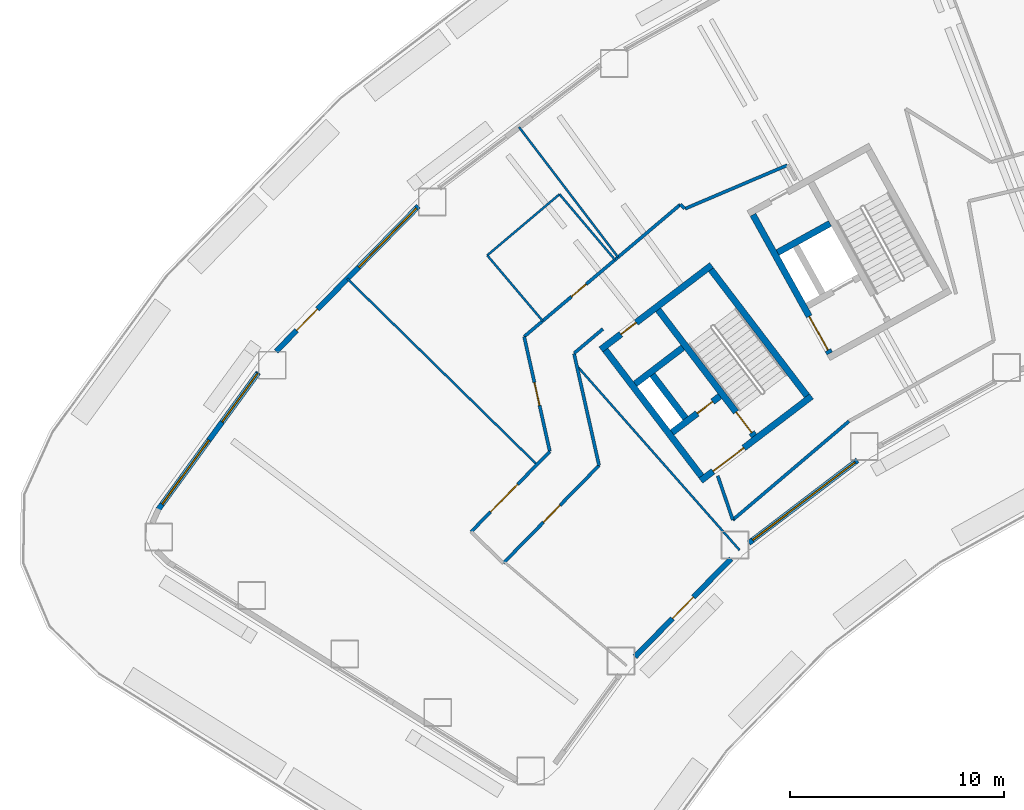
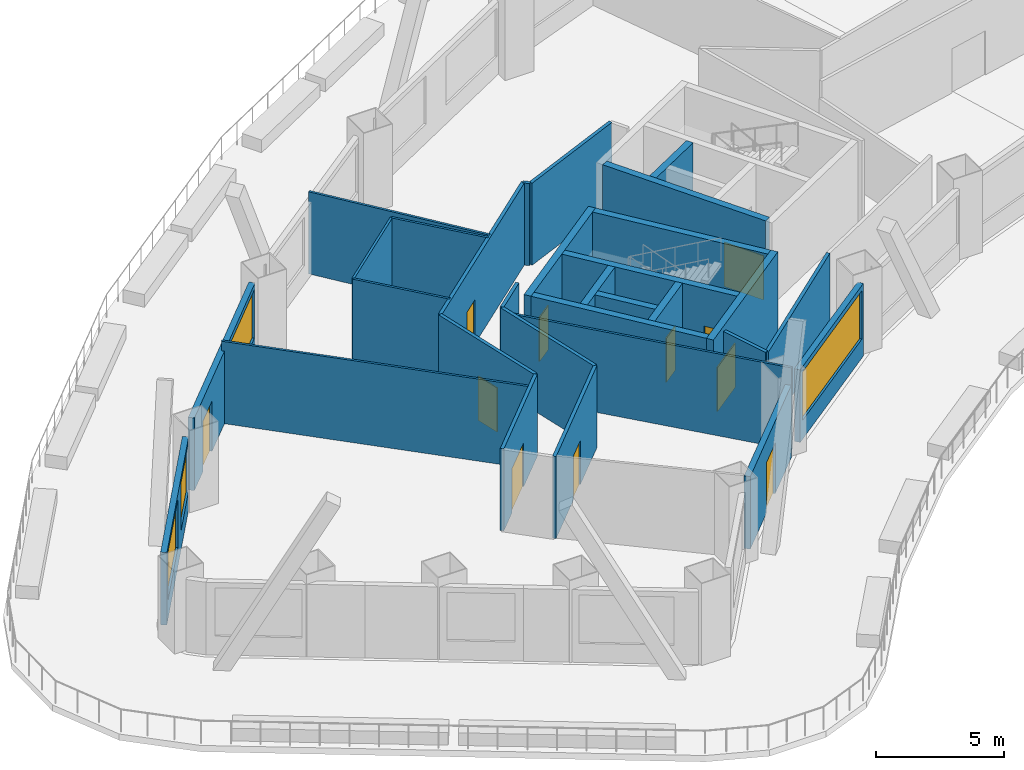
# One storey, part 3 of 12: 30 walls, 11 doors, 4 windows, 15 openings.
"""IFC4 building model written with IfcOpenShell, lengths in metres."""

from ifc_helpers import new_model, si_unit, direction, frame, frame_2d, origin, place, context, subcontext, project, spatial, rectangle, extrude, material, layer, layer_set, type_object, element, fill, save


model = new_model("IFC4")

# Units and contexts
model_context = context("Model", 3, precision=1e-05, world=origin(), true_north=direction((0.0, 1.0)))
body_context = subcontext(model_context, "Body", "Model", "MODEL_VIEW")
ifc_project = project(units=[si_unit("LENGTHUNIT", "METRE"), si_unit("AREAUNIT", "SQUARE_METRE"), si_unit("VOLUMEUNIT", "CUBIC_METRE"), si_unit("PLANEANGLEUNIT", "RADIAN"), si_unit("MASSUNIT", "GRAM", prefix="KILO")], contexts=[model_context])

# Site, building, storey
site_placement = place(None, origin())
site = spatial("IfcSite", under=ifc_project, at=site_placement, CompositionType="ELEMENT")
building_placement = place(site_placement, origin())
building = spatial("IfcBuilding", under=site, at=building_placement, Name="Tuul Gate Civic Tower", CompositionType="ELEMENT")
storey_placement = place(building_placement, frame((0.0, 0.0, 31.5)))
storey = spatial("IfcBuildingStorey", under=building, at=storey_placement, Name="Level 06", CompositionType="ELEMENT", Elevation=31.5)

# Wall, opening, door
ifc_material_1 = material(Name="Concrete C50/60", Category="concrete")
ifc_layer_1 = layer(ifc_material_1, 0.300048828125)
ifc_layer_set_1 = layer_set([ifc_layer_1], Name="Concrete C50/60")
wall_type_1 = type_object("IfcWallType", Name="Core wall C50/60", PredefinedType="SHEAR", material=ifc_layer_set_1)
wall_1_placement = place(storey_placement, frame((-31.19091796875, -13.669677734375, 0.0), z_axis=(0.0, 0.0, 1.0), x_axis=(-0.795606717756, -0.605813461934, 0.0)))
wall_1 = element("IfcWall", 1, at=wall_1_placement, inside=storey, type_object=wall_type_1, Name="Core wall", PredefinedType="SHEAR", context=body_context, shape_type="SweptSolid", body=[
    extrude(rectangle(XDim=6.5, YDim=0.300048828125, at=frame_2d((3.25, 0.0))), origin(), (0.0, 0.0, 1.0), 3.89990234375),
])
opening_1_placement = place(wall_1_placement, frame((3.97509765625, 0.0, 0.0)))
opening_1 = element("IfcOpeningElement", 2, at=opening_1_placement, cuts=wall_1, Name="Opening LB-W1-LOBBY-1", PredefinedType="OPENING", context=body_context, shape_type="SweptSolid", body=[
    extrude(rectangle(XDim=1.800048828125, YDim=2.10009765625, at=frame_2d((0.89990234375, 1.050048828125))), frame((0.0, 0.16015625, 0.0), z_axis=(0.0, -1.0, 0.0), x_axis=(1.0, 0.0, 0.0)), (0.0, 0.0, 1.0), 0.320068359375),
])
ifc_material_2 = material(Name="Steel", Category="steel")
door_type_1 = type_object("IfcDoorType", Name="Lobby door", OperationType="DOUBLE_DOOR_SINGLE_SWING", PredefinedType="DOOR", material=ifc_material_2)
door_1_placement = place(opening_1_placement, origin())
door_1 = element("IfcDoor", 3, at=door_1_placement, inside=storey, type_object=door_type_1, Name="Lobby door W1-LOBBY", OperationType="DOUBLE_DOOR_SINGLE_SWING", OverallHeight=2.10009765625, OverallWidth=1.800048828125, PredefinedType="DOOR", context=body_context, shape_type="SweptSolid", body=[
    extrude(rectangle(XDim=1.800048828125, YDim=2.10009765625, at=frame_2d((0.89990234375, 1.050048828125))), frame((0.0, 0.02490234375, 0.0), z_axis=(0.0, -1.0, 0.0), x_axis=(1.0, 0.0, 0.0)), (0.0, 0.0, 1.0), 0.050048828125),
])
fill(opening_1, door_1)

wall_2_placement = place(storey_placement, frame((-35.470947265625, -13.66064453125, 0.0), z_axis=(0.0, 0.0, 1.0), x_axis=(-0.795615822227, -0.605801504968, 0.0)))
wall_2 = element("IfcWall", 4, at=wall_2_placement, inside=storey, type_object=wall_type_1, Name="Core wall", PredefinedType="SHEAR", context=body_context, shape_type="SweptSolid", body=[
    extrude(rectangle(XDim=2.800048828125, YDim=0.300048828125, at=frame_2d((1.39990234375, 0.0))), origin(), (0.0, 0.0, 1.0), 3.89990234375),
])
opening_2_placement = place(wall_2_placement, frame((0.425048828125, 0.0, 0.0)))
opening_2 = element("IfcOpeningElement", 5, at=opening_2_placement, cuts=wall_2, Name="Opening FB-W1A1", PredefinedType="OPENING", context=body_context, shape_type="SweptSolid", body=[
    extrude(rectangle(XDim=0.89990234375, YDim=2.10009765625, at=frame_2d((0.449951171875, 1.050048828125))), frame((0.0, 0.16015625, 0.0), z_axis=(0.0, -1.0, 0.0), x_axis=(1.0, 0.0, 0.0)), (0.0, 0.0, 1.0), 0.320068359375),
])
ifc_material_3 = material(Name="Steel", Category="steel")
door_type_2 = type_object("IfcDoorType", Name="Store door", OperationType="NOTDEFINED", PredefinedType="DOOR", material=ifc_material_3)
door_2_placement = place(opening_2_placement, frame((0.89990234375, 0.0, 0.0), z_axis=(0.0, 0.0, 1.0), x_axis=(-1.0, 0.0, 0.0)))
door_2 = element("IfcDoor", 6, at=door_2_placement, inside=storey, type_object=door_type_2, Name="Store door W1A1", OperationType="SINGLE_SWING_RIGHT", OverallHeight=2.10009765625, OverallWidth=0.89990234375, PredefinedType="DOOR", context=body_context, shape_type="SweptSolid", body=[
    extrude(rectangle(XDim=0.89990234375, YDim=2.10009765625, at=frame_2d((0.449951171875, 1.050048828125))), frame((0.0, 0.02490234375, 0.0), z_axis=(0.0, -1.0, 0.0), x_axis=(1.0, 0.0, 0.0)), (0.0, 0.0, 1.0), 0.050048828125),
])
fill(opening_2, door_2)

# Wall
wall_3_placement = place(storey_placement, frame((-37.197509765625, -11.39306640625, 0.0), z_axis=(0.0, 0.0, 1.0), x_axis=(-0.795583820278, -0.605843531707, 0.0)))
element("IfcWall", 7, at=wall_3_placement, inside=storey, type_object=wall_type_1, Name="Core wall", PredefinedType="SHEAR", context=body_context, shape_type="SweptSolid", body=[
    extrude(rectangle(XDim=2.7998046875, YDim=0.300048828125, at=frame_2d((1.39990234375, 0.0))), origin(), (0.0, 0.0, 1.0), 3.89990234375),
])

# Wall, opening, door
wall_4_placement = place(storey_placement, frame((-35.855224609375, -7.543212890625, 0.0), z_axis=(0.0, 0.0, 1.0), x_axis=(-0.79563860527, -0.605771582202, 0.0)))
wall_4 = element("IfcWall", 8, at=wall_4_placement, inside=storey, type_object=wall_type_1, Name="Core wall", PredefinedType="SHEAR", context=body_context, shape_type="SweptSolid", body=[
    extrude(rectangle(XDim=6.5, YDim=0.300048828125, at=frame_2d((3.25, 0.0))), origin(), (0.0, 0.0, 1.0), 3.89990234375),
])
opening_3_placement = place(wall_4_placement, frame((4.425048828125, 0.0, 0.0)))
opening_3 = element("IfcOpeningElement", 9, at=opening_3_placement, cuts=wall_4, Name="Opening A-D19", PredefinedType="OPENING", context=body_context, shape_type="SweptSolid", body=[
    extrude(rectangle(XDim=0.89990234375, YDim=2.10009765625, at=frame_2d((0.449951171875, 1.050048828125))), frame((0.0, 0.16015625, 0.0), z_axis=(0.0, -1.0, 0.0), x_axis=(1.0, 0.0, 0.0)), (0.0, 0.0, 1.0), 0.320068359375),
])
ifc_material_4 = material(Name="Timber door leaf", Category="wood")
door_type_3 = type_object("IfcDoorType", Name="Door D09", OperationType="NOTDEFINED", PredefinedType="DOOR", material=ifc_material_4)
door_3_placement = place(opening_3_placement, origin())
door_3 = element("IfcDoor", 10, at=door_3_placement, inside=storey, type_object=door_type_3, Name="Door A-D19", OperationType="SINGLE_SWING_LEFT", OverallHeight=2.10009765625, OverallWidth=0.89990234375, PredefinedType="DOOR", context=body_context, shape_type="SweptSolid", body=[
    extrude(rectangle(XDim=0.89990234375, YDim=2.10009765625, at=frame_2d((0.449951171875, 1.050048828125))), frame((0.0, 0.02490234375, 0.0), z_axis=(0.0, -1.0, 0.0), x_axis=(1.0, 0.0, 0.0)), (0.0, 0.0, 1.0), 0.050048828125),
])
fill(opening_3, door_3)

# Wall
wall_5_placement = place(storey_placement, frame((-31.401123046875, -13.64111328125, 0.0), z_axis=(0.0, 0.0, 1.0), x_axis=(-0.605769822278, 0.795639945213, 0.0)))
element("IfcWall", 11, at=wall_5_placement, inside=storey, type_object=wall_type_1, Name="Core wall", PredefinedType="SHEAR", context=body_context, shape_type="SweptSolid", body=[
    extrude(rectangle(XDim=7.39990234375, YDim=0.300048828125, at=frame_2d((3.699951171875, 0.0))), origin(), (0.0, 0.0, 1.0), 3.89990234375),
])

# Wall, opening, door
wall_6_placement = place(storey_placement, frame((-33.867431640625, -15.51904296875, 0.0), z_axis=(0.0, 0.0, 1.0), x_axis=(-0.605769822278, 0.795639945213, 0.0)))
wall_6 = element("IfcWall", 12, at=wall_6_placement, inside=storey, type_object=wall_type_1, Name="Core wall", PredefinedType="SHEAR", context=body_context, shape_type="SweptSolid", body=[
    extrude(rectangle(XDim=7.39990234375, YDim=0.300048828125, at=frame_2d((3.699951171875, 0.0))), origin(), (0.0, 0.0, 1.0), 3.89990234375),
])
opening_4_placement = place(wall_6_placement, frame((0.199951171875, 0.0, 0.0)))
opening_4 = element("IfcOpeningElement", 13, at=opening_4_placement, cuts=wall_6, Name="Opening SD-ST-1", PredefinedType="OPENING", context=body_context, shape_type="SweptSolid", body=[
    extrude(rectangle(XDim=1.199951171875, YDim=2.10009765625, at=frame_2d((0.60009765625, 1.050048828125))), frame((0.0, 0.16015625, 0.0), z_axis=(0.0, -1.0, 0.0), x_axis=(1.0, 0.0, 0.0)), (0.0, 0.0, 1.0), 0.320068359375),
])
ifc_material_5 = material(Name="Steel", Category="steel")
door_type_4 = type_object("IfcDoorType", Name="Stair door", OperationType="NOTDEFINED", PredefinedType="DOOR", material=ifc_material_5)
door_4_placement = place(opening_4_placement, origin())
door_4 = element("IfcDoor", 14, at=door_4_placement, inside=storey, type_object=door_type_4, Name="Stair door ST-1", OperationType="SINGLE_SWING_LEFT", OverallHeight=2.10009765625, OverallWidth=1.199951171875, PredefinedType="DOOR", context=body_context, shape_type="SweptSolid", body=[
    extrude(rectangle(XDim=1.199951171875, YDim=2.10009765625, at=frame_2d((0.60009765625, 1.050048828125))), frame((0.0, 0.02490234375, 0.0), z_axis=(0.0, -1.0, 0.0), x_axis=(1.0, 0.0, 0.0)), (0.0, 0.0, 1.0), 0.050048828125),
])
fill(opening_4, door_4)

# Walls
wall_7_placement = place(storey_placement, frame((-37.073486328125, -14.6923828125, 0.0), z_axis=(0.0, 0.0, 1.0), x_axis=(-0.605728760074, 0.79567120673, 0.0)))
element("IfcWall", 15, at=wall_7_placement, inside=storey, type_object=wall_type_1, Name="Core wall", PredefinedType="SHEAR", context=body_context, shape_type="SweptSolid", body=[
    extrude(rectangle(XDim=2.550048828125, YDim=0.300048828125, at=frame_2d((1.27490234375, 0.0))), origin(), (0.0, 0.0, 1.0), 3.89990234375),
])
wall_8_placement = place(storey_placement, frame((-36.333984375, -17.397216796875, 0.0), z_axis=(0.0, 0.0, 1.0), x_axis=(-0.605753921168, 0.795652051458, 0.0)))
element("IfcWall", 16, at=wall_8_placement, inside=storey, type_object=wall_type_1, Name="Core wall", PredefinedType="SHEAR", context=body_context, shape_type="SweptSolid", body=[
    extrude(rectangle(XDim=7.400146484375, YDim=0.300048828125, at=frame_2d((3.7001953125, 0.0))), origin(), (0.0, 0.0, 1.0), 3.89990234375),
])
wall_9_placement = place(storey_placement, frame((-30.327392578125, -5.59716796875, 0.0), z_axis=(0.0, 0.0, 1.0), x_axis=(-0.874629840737, -0.484791338301, 0.0)))
element("IfcWall", 17, at=wall_9_placement, inside=storey, type_object=wall_type_1, Name="Core wall", PredefinedType="SHEAR", context=body_context, shape_type="SweptSolid", body=[
    extrude(rectangle(XDim=2.800048828125, YDim=0.300048828125, at=frame_2d((1.39990234375, 0.0))), origin(), (0.0, 0.0, 1.0), 3.89990234375),
])

# Wall, opening, door
wall_10_placement = place(storey_placement, frame((-30.33837890625, -11.6630859375, 0.0), z_axis=(0.0, 0.0, 1.0), x_axis=(-0.484751894226, 0.874651702704, 0.0)))
wall_10 = element("IfcWall", 18, at=wall_10_placement, inside=storey, type_object=wall_type_1, Name="Core wall", PredefinedType="SHEAR", context=body_context, shape_type="SweptSolid", body=[
    extrude(rectangle(XDim=7.39990234375, YDim=0.300048828125, at=frame_2d((3.699951171875, 0.0))), origin(), (0.0, 0.0, 1.0), 3.89990234375),
])
opening_5_placement = place(wall_10_placement, frame((0.175048828125, 0.0, 0.0)))
opening_5 = element("IfcOpeningElement", 19, at=opening_5_placement, cuts=wall_10, Name="Opening LB-W2-FLOBBY-1", PredefinedType="OPENING", context=body_context, shape_type="SweptSolid", body=[
    extrude(rectangle(XDim=1.800048828125, YDim=2.10009765625, at=frame_2d((0.89990234375, 1.050048828125))), frame((0.0, 0.16015625, 0.0), z_axis=(0.0, -1.0, 0.0), x_axis=(1.0, 0.0, 0.0)), (0.0, 0.0, 1.0), 0.320068359375),
])
door_5_placement = place(opening_5_placement, frame((1.800048828125, 0.0, 0.0), z_axis=(0.0, 0.0, 1.0), x_axis=(-1.0, 0.0, 0.0)))
door_5 = element("IfcDoor", 20, at=door_5_placement, inside=storey, type_object=door_type_1, Name="Lobby door W2-FLOBBY", OperationType="DOUBLE_DOOR_SINGLE_SWING", OverallHeight=2.10009765625, OverallWidth=1.800048828125, PredefinedType="DOOR", context=body_context, shape_type="SweptSolid", body=[
    extrude(rectangle(XDim=1.800048828125, YDim=2.10009765625, at=frame_2d((0.900146484375, 1.050048828125))), frame((0.0, 0.02490234375, 0.0), z_axis=(0.0, -1.0, 0.0), x_axis=(1.0, 0.0, 0.0)), (0.0, 0.0, 1.0), 0.050048828125),
])
fill(opening_5, door_5)

# Walls
ifc_material_6 = material(Name="Gypsum board partition")
ifc_layer_2 = layer(ifc_material_6, 0.14990234375)
ifc_layer_set_2 = layer_set([ifc_layer_2], Name="Gypsum board partition")
wall_type_2 = type_object("IfcWallType", Name="Corridor wall P150", PredefinedType="PARTITIONING", material=ifc_layer_set_2)
wall_11_placement = place(storey_placement, frame((-37.0908203125, -4.906982421875, 0.0), z_axis=(0.0, 0.0, 1.0), x_axis=(0.920073023007, 0.391746898309, 0.0)))
element("IfcWall", 21, at=wall_11_placement, inside=storey, type_object=wall_type_2, Name="p043", PredefinedType="PARTITIONING", context=body_context, shape_type="SweptSolid", body=[
    extrude(rectangle(XDim=5.183837890625, YDim=0.14990234375, at=frame_2d((2.591796875, 0.0))), origin(), (0.0, 0.0, 1.0), 3.89990234375),
])
wall_12_placement = place(storey_placement, frame((-37.317138671875, -4.714111328125, 0.0), z_axis=(0.0, 0.0, 1.0), x_axis=(0.735338928654, -0.677699535197, 0.0)))
element("IfcWall", 22, at=wall_12_placement, inside=storey, type_object=wall_type_2, Name="p044", PredefinedType="PARTITIONING", context=body_context, shape_type="SweptSolid", body=[
    extrude(rectangle(XDim=0.279541015625, YDim=0.14990234375, at=frame_2d((0.1396484375, 0.0))), origin(), (0.0, 0.0, 1.0), 3.89990234375),
])

# Wall, opening, door
wall_13_placement = place(storey_placement, frame((-44.60888671875, -10.881103515625, 0.0), z_axis=(0.0, 0.0, 1.0), x_axis=(0.763538505886, 0.645762301493, 0.0)))
wall_13 = element("IfcWall", 23, at=wall_13_placement, inside=storey, type_object=wall_type_2, Name="p045", PredefinedType="PARTITIONING", context=body_context, shape_type="SweptSolid", body=[
    extrude(rectangle(XDim=9.550048828125, YDim=0.14990234375, at=frame_2d((4.77490234375, 0.0))), origin(), (0.0, 0.0, 1.0), 3.89990234375),
])
opening_6_placement = place(wall_13_placement, frame((2.894775390625, 0.0, 0.0)))
opening_6 = element("IfcOpeningElement", 24, at=opening_6_placement, cuts=wall_13, Name="Opening A-D10", PredefinedType="OPENING", context=body_context, shape_type="SweptSolid", body=[
    extrude(rectangle(XDim=0.89990234375, YDim=2.10009765625, at=frame_2d((0.449951171875, 1.050048828125))), frame((0.0, 0.0849609375, 0.0), z_axis=(0.0, -1.0, 0.0), x_axis=(1.0, 0.0, 0.0)), (0.0, 0.0, 1.0), 0.169921875),
])
door_6_placement = place(opening_6_placement, origin())
door_6 = element("IfcDoor", 25, at=door_6_placement, inside=storey, type_object=door_type_3, Name="Door A-D10", OperationType="SINGLE_SWING_RIGHT", OverallHeight=2.10009765625, OverallWidth=0.89990234375, PredefinedType="DOOR", context=body_context, shape_type="SweptSolid", body=[
    extrude(rectangle(XDim=0.89990234375, YDim=2.10009765625, at=frame_2d((0.449951171875, 1.050048828125))), frame((0.0, 0.02490234375, 0.0), z_axis=(0.0, -1.0, 0.0), x_axis=(1.0, 0.0, 0.0)), (0.0, 0.0, 1.0), 0.050048828125),
])
fill(opening_6, door_6)

wall_14_placement = place(storey_placement, frame((-44.60888671875, -10.881103515625, 0.0), z_axis=(0.0, 0.0, 1.0), x_axis=(0.218273109258, -0.97588772396, 0.0)))
wall_14 = element("IfcWall", 26, at=wall_14_placement, inside=storey, type_object=wall_type_2, Name="p050", PredefinedType="PARTITIONING", context=body_context, shape_type="SweptSolid", body=[
    extrude(rectangle(XDim=5.486328125, YDim=0.14990234375, at=frame_2d((2.7431640625, 0.0))), origin(), (0.0, 0.0, 1.0), 3.89990234375),
])
opening_7_placement = place(wall_14_placement, frame((2.193115234375, 0.0, 0.0)))
opening_7 = element("IfcOpeningElement", 27, at=opening_7_placement, cuts=wall_14, Name="Opening A-D11", PredefinedType="OPENING", context=body_context, shape_type="SweptSolid", body=[
    extrude(rectangle(XDim=1.10009765625, YDim=2.10009765625, at=frame_2d((0.550048828125, 1.050048828125))), frame((0.0, 0.0849609375, 0.0), z_axis=(0.0, -1.0, 0.0), x_axis=(1.0, 0.0, 0.0)), (0.0, 0.0, 1.0), 0.169921875),
])
ifc_material_7 = material(Name="Timber door leaf", Category="wood")
door_type_5 = type_object("IfcDoorType", Name="Door D11", OperationType="NOTDEFINED", PredefinedType="DOOR", material=ifc_material_7)
door_7_placement = place(opening_7_placement, frame((1.10009765625, 0.0, 0.0), z_axis=(0.0, 0.0, 1.0), x_axis=(-1.0, 0.0, 0.0)))
door_7 = element("IfcDoor", 28, at=door_7_placement, inside=storey, type_object=door_type_5, Name="Door A-D11", OperationType="SINGLE_SWING_LEFT", OverallHeight=2.10009765625, OverallWidth=1.10009765625, PredefinedType="DOOR", context=body_context, shape_type="SweptSolid", body=[
    extrude(rectangle(XDim=1.10009765625, YDim=2.10009765625, at=frame_2d((0.550048828125, 1.050048828125))), frame((0.0, 0.02490234375, 0.0), z_axis=(0.0, -1.0, 0.0), x_axis=(1.0, 0.0, 0.0)), (0.0, 0.0, 1.0), 0.050048828125),
])
fill(opening_7, door_7)

wall_15_placement = place(storey_placement, frame((-47.08349609375, -19.9912109375, 0.0), z_axis=(0.0, 0.0, 1.0), x_axis=(0.700008952993, 0.714134067055, 0.0)))
wall_15 = element("IfcWall", 29, at=wall_15_placement, inside=storey, type_object=wall_type_2, Name="p051", PredefinedType="PARTITIONING", context=body_context, shape_type="SweptSolid", body=[
    extrude(rectangle(XDim=5.237060546875, YDim=0.14990234375, at=frame_2d((2.61865234375, 0.0))), origin(), (0.0, 0.0, 1.0), 3.89990234375),
])
opening_8_placement = place(wall_15_placement, frame((1.2939453125, 0.0, 0.0)))
opening_8 = element("IfcOpeningElement", 30, at=opening_8_placement, cuts=wall_15, Name="Opening A-D12", PredefinedType="OPENING", context=body_context, shape_type="SweptSolid", body=[
    extrude(rectangle(XDim=1.800048828125, YDim=2.10009765625, at=frame_2d((0.89990234375, 1.050048828125))), frame((0.0, 0.0849609375, 0.0), z_axis=(0.0, -1.0, 0.0), x_axis=(1.0, 0.0, 0.0)), (0.0, 0.0, 1.0), 0.169921875),
])
ifc_material_8 = material(Name="Timber door leaf, double", Category="wood")
door_type_6 = type_object("IfcDoorType", Name="Door D18", OperationType="DOUBLE_DOOR_SINGLE_SWING", PredefinedType="DOOR", material=ifc_material_8)
door_8_placement = place(opening_8_placement, origin())
door_8 = element("IfcDoor", 31, at=door_8_placement, inside=storey, type_object=door_type_6, Name="Door A-D12", OperationType="DOUBLE_DOOR_SINGLE_SWING", OverallHeight=2.10009765625, OverallWidth=1.800048828125, PredefinedType="DOOR", context=body_context, shape_type="SweptSolid", body=[
    extrude(rectangle(XDim=1.800048828125, YDim=2.10009765625, at=frame_2d((0.89990234375, 1.050048828125))), frame((0.0, 0.02490234375, 0.0), z_axis=(0.0, -1.0, 0.0), x_axis=(1.0, 0.0, 0.0)), (0.0, 0.0, 1.0), 0.050048828125),
])
fill(opening_8, door_8)

wall_16_placement = place(storey_placement, frame((-45.583740234375, -21.461181640625, 0.0), z_axis=(0.0, 0.0, 1.0), x_axis=(0.700020975369, 0.714122282276, 0.0)))
wall_16 = element("IfcWall", 32, at=wall_16_placement, inside=storey, type_object=wall_type_2, Name="p054", PredefinedType="PARTITIONING", context=body_context, shape_type="SweptSolid", body=[
    extrude(rectangle(XDim=6.388671875, YDim=0.14990234375, at=frame_2d((3.1943359375, 0.0))), origin(), (0.0, 0.0, 1.0), 3.89990234375),
])
opening_9_placement = place(wall_16_placement, frame((2.682373046875, 0.0, 0.0)))
opening_9 = element("IfcOpeningElement", 33, at=opening_9_placement, cuts=wall_16, Name="Opening A-D17", PredefinedType="OPENING", context=body_context, shape_type="SweptSolid", body=[
    extrude(rectangle(XDim=1.10009765625, YDim=2.10009765625, at=frame_2d((0.550048828125, 1.050048828125))), frame((0.0, 0.0849609375, 0.0), z_axis=(0.0, -1.0, 0.0), x_axis=(1.0, 0.0, 0.0)), (0.0, 0.0, 1.0), 0.169921875),
])
door_9_placement = place(opening_9_placement, frame((1.10009765625, 0.0, 0.0), z_axis=(0.0, 0.0, 1.0), x_axis=(-1.0, 0.0, 0.0)))
door_9 = element("IfcDoor", 34, at=door_9_placement, inside=storey, type_object=door_type_5, Name="Door A-D17", OperationType="SINGLE_SWING_LEFT", OverallHeight=2.10009765625, OverallWidth=1.10009765625, PredefinedType="DOOR", context=body_context, shape_type="SweptSolid", body=[
    extrude(rectangle(XDim=1.10009765625, YDim=2.10009765625, at=frame_2d((0.550048828125, 1.050048828125))), frame((0.0, 0.02490234375, 0.0), z_axis=(0.0, -1.0, 0.0), x_axis=(1.0, 0.0, 0.0)), (0.0, 0.0, 1.0), 0.050048828125),
])
fill(opening_9, door_9)

# Walls
wall_17_placement = place(storey_placement, frame((-35.569580078125, -17.380859375, 0.0), z_axis=(0.0, 0.0, 1.0), x_axis=(0.324097578898, -0.946023656867, 0.0)))
element("IfcWall", 35, at=wall_17_placement, inside=storey, type_object=wall_type_2, Name="p061", PredefinedType="PARTITIONING", context=body_context, shape_type="SweptSolid", body=[
    extrude(rectangle(XDim=2.1748046875, YDim=0.14990234375, at=frame_2d((1.08740234375, 0.0))), origin(), (0.0, 0.0, 1.0), 3.89990234375),
])
wall_18_placement = place(storey_placement, frame((-34.86474609375, -19.438232421875, 0.0), z_axis=(0.0, 0.0, 1.0), x_axis=(0.762057773154, 0.647509034976, 0.0)))
element("IfcWall", 36, at=wall_18_placement, inside=storey, type_object=wall_type_2, Name="p062", PredefinedType="PARTITIONING", context=body_context, shape_type="SweptSolid", body=[
    extrude(rectangle(XDim=7.11865234375, YDim=0.14990234375, at=frame_2d((3.559326171875, 0.0))), origin(), (0.0, 0.0, 1.0), 3.89990234375),
])
wall_19_placement = place(storey_placement, frame((-42.279296875, -11.67578125, 0.0), z_axis=(0.0, 0.0, 1.0), x_axis=(0.21833615178, -0.975873621339, 0.0)))
element("IfcWall", 37, at=wall_19_placement, inside=storey, type_object=wall_type_2, Name="p067", PredefinedType="PARTITIONING", context=body_context, shape_type="SweptSolid", body=[
    extrude(rectangle(XDim=5.3505859375, YDim=0.14990234375, at=frame_2d((2.67529296875, 0.0))), origin(), (0.0, 0.0, 1.0), 3.89990234375),
])
wall_20_placement = place(storey_placement, frame((-42.273193359375, -11.656005859375, 0.0), z_axis=(0.0, 0.0, 1.0), x_axis=(0.763749802312, 0.645512385217, 0.0)))
element("IfcWall", 38, at=wall_20_placement, inside=storey, type_object=wall_type_2, Name="p068", PredefinedType="PARTITIONING", context=body_context, shape_type="SweptSolid", body=[
    extrude(rectangle(XDim=1.757080078125, YDim=0.14990234375, at=frame_2d((0.87841796875, 0.0))), origin(), (0.0, 0.0, 1.0), 3.89990234375),
])

# Wall, openings, door, window
ifc_material_9 = material(Name="Precast concrete C40/50", Category="concrete")
ifc_layer_3 = layer(ifc_material_9, 0.25)
ifc_layer_set_3 = layer_set([ifc_layer_3], Name="Precast concrete C40/50")
wall_type_3 = type_object("IfcWallType", Name="External wall", PredefinedType="STANDARD", material=ifc_layer_set_3)
wall_21_placement = place(storey_placement, frame((-49.548095703125, -4.791748046875, 0.0), z_axis=(0.0, 0.0, 1.0), x_axis=(-0.699994476854, -0.714148256578, 0.0)))
wall_21 = element("IfcWall", 39, at=wall_21_placement, inside=storey, type_object=wall_type_3, Name="External wall", PredefinedType="STANDARD", context=body_context, shape_type="SweptSolid", body=[
    extrude(rectangle(XDim=9.487060546875, YDim=0.25, at=frame_2d((4.74365234375, 0.0))), origin(), (0.0, 0.0, 1.0), 3.449951171875),
])
opening_10_placement = place(wall_21_placement, frame((0.13037109375, 0.0, 0.89990234375)))
opening_10 = element("IfcOpeningElement", 40, at=opening_10_placement, cuts=wall_21, Name="Opening W22", PredefinedType="OPENING", context=body_context, shape_type="SweptSolid", body=[
    extrude(rectangle(XDim=3.85009765625, YDim=2.300048828125, at=frame_2d((1.925048828125, 1.14990234375))), frame((0.0, 0.135009765625, 0.0), z_axis=(0.0, -1.0, 0.0), x_axis=(1.0, 0.0, 0.0)), (0.0, 0.0, 1.0), 0.27001953125),
])
opening_11_placement = place(wall_21_placement, frame((6.726806640625, 0.0, 0.0)))
opening_11 = element("IfcOpeningElement", 41, at=opening_11_placement, cuts=wall_21, Name="Opening TD", PredefinedType="OPENING", context=body_context, shape_type="SweptSolid", body=[
    extrude(rectangle(XDim=1.39990234375, YDim=2.39990234375, at=frame_2d((0.699951171875, 1.199951171875))), frame((0.0, 0.135009765625, 0.0), z_axis=(0.0, -1.0, 0.0), x_axis=(1.0, 0.0, 0.0)), (0.0, 0.0, 1.0), 0.27001953125),
])
ifc_material_10 = material(Name="Glazed aluminium", Category="aluminium")
door_type_7 = type_object("IfcDoorType", Name="Terrace door", OperationType="DOUBLE_DOOR_SINGLE_SWING", PredefinedType="DOOR", material=ifc_material_10)
door_10_placement = place(opening_11_placement, frame((1.39990234375, 0.0, 0.0), z_axis=(0.0, 0.0, 1.0), x_axis=(-1.0, 0.0, 0.0)))
door_10 = element("IfcDoor", 42, at=door_10_placement, inside=storey, type_object=door_type_7, Name="Terrace door", OperationType="DOUBLE_DOOR_SINGLE_SWING", OverallHeight=2.39990234375, OverallWidth=1.39990234375, PredefinedType="DOOR", context=body_context, shape_type="SweptSolid", body=[
    extrude(rectangle(XDim=1.39990234375, YDim=2.39990234375, at=frame_2d((0.699951171875, 1.199951171875))), frame((0.0, 0.02490234375, 0.0), z_axis=(0.0, -1.0, 0.0), x_axis=(1.0, 0.0, 0.0)), (0.0, 0.0, 1.0), 0.050048828125),
])
fill(opening_11, door_10)
ifc_material_11 = material(Name="Glass", Category="glass")
window_type_1 = type_object("IfcWindowType", Name="Window W22 3850 x 2300", PartitioningType="SINGLE_PANEL", PredefinedType="WINDOW", material=ifc_material_11)
window_1_placement = place(opening_10_placement, origin())
window_1 = element("IfcWindow", 43, at=window_1_placement, inside=storey, type_object=window_type_1, Name="Window", OverallHeight=2.300048828125, OverallWidth=3.85009765625, PartitioningType="SINGLE_PANEL", PredefinedType="WINDOW", context=body_context, shape_type="SweptSolid", body=[
    extrude(rectangle(XDim=3.85009765625, YDim=2.300048828125, at=frame_2d((1.925048828125, 1.14990234375))), frame((0.0, 0.030029296875, 0.0), z_axis=(0.0, -1.0, 0.0), x_axis=(1.0, 0.0, 0.0)), (0.0, 0.0, 1.0), 0.06005859375),
])
fill(opening_10, window_1)

# Wall, openings, windows
wall_22_placement = place(storey_placement, frame((-57.02197265625, -12.556884765625, 0.0), z_axis=(0.0, 0.0, 1.0), x_axis=(-0.589806928208, -0.807544294412, 0.0)))
wall_22 = element("IfcWall", 44, at=wall_22_placement, inside=storey, type_object=wall_type_3, Name="External wall", PredefinedType="STANDARD", context=body_context, shape_type="SweptSolid", body=[
    extrude(rectangle(XDim=7.912841796875, YDim=0.25, at=frame_2d((3.95654296875, 0.0))), origin(), (0.0, 0.0, 1.0), 3.449951171875),
])
opening_12_placement = place(wall_22_placement, frame((0.060791015625, 0.0, 0.89990234375)))
opening_12 = element("IfcOpeningElement", 45, at=opening_12_placement, cuts=wall_22, Name="Opening W23", PredefinedType="OPENING", context=body_context, shape_type="SweptSolid", body=[
    extrude(rectangle(XDim=2.800048828125, YDim=2.300048828125, at=frame_2d((1.39990234375, 1.14990234375))), frame((0.0, 0.135009765625, 0.0), z_axis=(0.0, -1.0, 0.0), x_axis=(1.0, 0.0, 0.0)), (0.0, 0.0, 1.0), 0.27001953125),
])
opening_13_placement = place(wall_22_placement, frame((3.912109375, 0.0, 0.89990234375)))
opening_13 = element("IfcOpeningElement", 46, at=opening_13_placement, cuts=wall_22, Name="Opening W21", PredefinedType="OPENING", context=body_context, shape_type="SweptSolid", body=[
    extrude(rectangle(XDim=3.699951171875, YDim=2.300048828125, at=frame_2d((1.85009765625, 1.14990234375))), frame((0.0, 0.135009765625, 0.0), z_axis=(0.0, -1.0, 0.0), x_axis=(1.0, 0.0, 0.0)), (0.0, 0.0, 1.0), 0.27001953125),
])
ifc_material_12 = material(Name="Glass", Category="glass")
window_type_2 = type_object("IfcWindowType", Name="Window W21 3700 x 2300", PartitioningType="SINGLE_PANEL", PredefinedType="WINDOW", material=ifc_material_12)
window_2_placement = place(opening_13_placement, origin())
window_2 = element("IfcWindow", 47, at=window_2_placement, inside=storey, type_object=window_type_2, Name="Window", OverallHeight=2.300048828125, OverallWidth=3.699951171875, PartitioningType="SINGLE_PANEL", PredefinedType="WINDOW", context=body_context, shape_type="SweptSolid", body=[
    extrude(rectangle(XDim=3.699951171875, YDim=2.300048828125, at=frame_2d((1.85009765625, 1.14990234375))), frame((0.0, 0.030029296875, 0.0), z_axis=(0.0, -1.0, 0.0), x_axis=(1.0, 0.0, 0.0)), (0.0, 0.0, 1.0), 0.06005859375),
])
fill(opening_13, window_2)
ifc_material_13 = material(Name="Glass", Category="glass")
window_type_3 = type_object("IfcWindowType", Name="Window W23 2800 x 2300", PartitioningType="SINGLE_PANEL", PredefinedType="WINDOW", material=ifc_material_13)
window_3_placement = place(opening_12_placement, origin())
window_3 = element("IfcWindow", 48, at=window_3_placement, inside=storey, type_object=window_type_3, Name="Window", OverallHeight=2.300048828125, OverallWidth=2.800048828125, PartitioningType="SINGLE_PANEL", PredefinedType="WINDOW", context=body_context, shape_type="SweptSolid", body=[
    extrude(rectangle(XDim=2.800048828125, YDim=2.300048828125, at=frame_2d((1.39990234375, 1.14990234375))), frame((0.0, 0.030029296875, 0.0), z_axis=(0.0, -1.0, 0.0), x_axis=(1.0, 0.0, 0.0)), (0.0, 0.0, 1.0), 0.06005859375),
])
fill(opening_12, window_3)

# Wall, opening, door
wall_23_placement = place(storey_placement, frame((-39.430908203125, -25.827392578125, 0.0), z_axis=(0.0, 0.0, 1.0), x_axis=(0.699998211198, 0.714144596227, 0.0)))
wall_23 = element("IfcWall", 49, at=wall_23_placement, inside=storey, type_object=wall_type_3, Name="External wall", PredefinedType="STANDARD", context=body_context, shape_type="SweptSolid", body=[
    extrude(rectangle(XDim=6.40283203125, YDim=0.25, at=frame_2d((3.201416015625, 0.0))), origin(), (0.0, 0.0, 1.0), 3.449951171875),
])
opening_14_placement = place(wall_23_placement, frame((2.498779296875, 0.0, 0.0)))
opening_14 = element("IfcOpeningElement", 50, at=opening_14_placement, cuts=wall_23, Name="Opening TD", PredefinedType="OPENING", context=body_context, shape_type="SweptSolid", body=[
    extrude(rectangle(XDim=1.39990234375, YDim=2.39990234375, at=frame_2d((0.699951171875, 1.199951171875))), frame((0.0, 0.135009765625, 0.0), z_axis=(0.0, -1.0, 0.0), x_axis=(1.0, 0.0, 0.0)), (0.0, 0.0, 1.0), 0.27001953125),
])
door_11_placement = place(opening_14_placement, frame((1.39990234375, 0.0, 0.0), z_axis=(0.0, 0.0, 1.0), x_axis=(-1.0, 0.0, 0.0)))
door_11 = element("IfcDoor", 51, at=door_11_placement, inside=storey, type_object=door_type_7, Name="Terrace door", OperationType="DOUBLE_DOOR_SINGLE_SWING", OverallHeight=2.39990234375, OverallWidth=1.39990234375, PredefinedType="DOOR", context=body_context, shape_type="SweptSolid", body=[
    extrude(rectangle(XDim=1.39990234375, YDim=2.39990234375, at=frame_2d((0.699951171875, 1.199951171875))), frame((0.0, 0.02490234375, 0.0), z_axis=(0.0, -1.0, 0.0), x_axis=(1.0, 0.0, 0.0)), (0.0, 0.0, 1.0), 0.050048828125),
])
fill(opening_14, door_11)

# Wall, opening, window
wall_24_placement = place(storey_placement, frame((-34.116943359375, -20.5185546875, 0.0), z_axis=(0.0, 0.0, 1.0), x_axis=(0.795571471624, 0.605859747416, 0.0)))
wall_24 = element("IfcWall", 52, at=wall_24_placement, inside=storey, type_object=wall_type_3, Name="External wall", PredefinedType="STANDARD", context=body_context, shape_type="SweptSolid", body=[
    extrude(rectangle(XDim=6.375244140625, YDim=0.25, at=frame_2d((3.1875, 0.0))), origin(), (0.0, 0.0, 1.0), 3.449951171875),
])
opening_15_placement = place(wall_24_placement, frame((0.226806640625, 0.0, 0.89990234375)))
opening_15 = element("IfcOpeningElement", 53, at=opening_15_placement, cuts=wall_24, Name="Opening W26", PredefinedType="OPENING", context=body_context, shape_type="SweptSolid", body=[
    extrude(rectangle(XDim=6.0, YDim=2.300048828125, at=frame_2d((3.0, 1.14990234375))), frame((0.0, 0.135009765625, 0.0), z_axis=(0.0, -1.0, 0.0), x_axis=(1.0, 0.0, 0.0)), (0.0, 0.0, 1.0), 0.27001953125),
])
ifc_material_14 = material(Name="Glass", Category="glass")
window_type_4 = type_object("IfcWindowType", Name="Window W26 6000 x 2300", PartitioningType="SINGLE_PANEL", PredefinedType="WINDOW", material=ifc_material_14)
window_4_placement = place(opening_15_placement, origin())
window_4 = element("IfcWindow", 54, at=window_4_placement, inside=storey, type_object=window_type_4, Name="Window", OverallHeight=2.300048828125, OverallWidth=6.0, PartitioningType="SINGLE_PANEL", PredefinedType="WINDOW", context=body_context, shape_type="SweptSolid", body=[
    extrude(rectangle(XDim=6.0, YDim=2.300048828125, at=frame_2d((3.0, 1.14990234375))), frame((0.0, 0.030029296875, 0.0), z_axis=(0.0, -1.0, 0.0), x_axis=(1.0, 0.0, 0.0)), (0.0, 0.0, 1.0), 0.06005859375),
])
fill(opening_15, window_4)

# Walls
ifc_material_15 = material(Name="Gypsum board partition")
ifc_layer_4 = layer(ifc_material_15, 0.10009765625)
ifc_layer_set_4 = layer_set([ifc_layer_4], Name="Gypsum board partition")
wall_type_4 = type_object("IfcWallType", Name="Partition P100", PredefinedType="PARTITIONING", material=ifc_layer_set_4)
wall_25_placement = place(storey_placement, frame((-44.849853515625, -1.095703125, 0.0), z_axis=(0.0, 0.0, 1.0), x_axis=(0.605779280153, -0.795632744259, 0.0)))
element("IfcWall", 55, at=wall_25_placement, inside=storey, type_object=wall_type_4, Name="p039", PredefinedType="PARTITIONING", context=body_context, shape_type="SweptSolid", body=[
    extrude(rectangle(XDim=7.63720703125, YDim=0.10009765625, at=frame_2d((3.818603515625, 0.0))), origin(), (0.0, 0.0, 1.0), 3.89990234375),
])
wall_26_placement = place(storey_placement, frame((-46.33203125, -7.08642578125, 0.0), z_axis=(0.0, 0.0, 1.0), x_axis=(0.645778474233, -0.763524827506, 0.0)))
element("IfcWall", 56, at=wall_26_placement, inside=storey, type_object=wall_type_4, Name="p046", PredefinedType="PARTITIONING", context=body_context, shape_type="SweptSolid", body=[
    extrude(rectangle(XDim=4.010009765625, YDim=0.10009765625, at=frame_2d((2.0048828125, 0.0))), origin(), (0.0, 0.0, 1.0), 3.89990234375),
])
wall_27_placement = place(storey_placement, frame((-46.33203125, -7.08642578125, 0.0), z_axis=(0.0, 0.0, 1.0), x_axis=(0.763555960982, 0.645741662315, 0.0)))
element("IfcWall", 57, at=wall_27_placement, inside=storey, type_object=wall_type_4, Name="p047", PredefinedType="PARTITIONING", context=body_context, shape_type="SweptSolid", body=[
    extrude(rectangle(XDim=4.420166015625, YDim=0.10009765625, at=frame_2d((2.2099609375, 0.0))), origin(), (0.0, 0.0, 1.0), 3.89990234375),
])
wall_28_placement = place(storey_placement, frame((-42.95703125, -4.232177734375, 0.0), z_axis=(0.0, 0.0, 1.0), x_axis=(0.64574297958, -0.763554846965, 0.0)))
element("IfcWall", 58, at=wall_28_placement, inside=storey, type_object=wall_type_4, Name="p048", PredefinedType="PARTITIONING", context=body_context, shape_type="SweptSolid", body=[
    extrude(rectangle(XDim=4.009765625, YDim=0.10009765625, at=frame_2d((2.0048828125, 0.0))), origin(), (0.0, 0.0, 1.0), 3.89990234375),
])
wall_29_placement = place(storey_placement, frame((-52.870361328125, -8.173828125, 0.0), z_axis=(0.0, 0.0, 1.0), x_axis=(0.714117400157, -0.700025955799, 0.0)))
element("IfcWall", 59, at=wall_29_placement, inside=storey, type_object=wall_type_4, Name="p049", PredefinedType="PARTITIONING", context=body_context, shape_type="SweptSolid", body=[
    extrude(rectangle(XDim=12.405029296875, YDim=0.10009765625, at=frame_2d((6.20263671875, 0.0))), origin(), (0.0, 0.0, 1.0), 3.89990234375),
])
wall_30_placement = place(storey_placement, frame((-42.154541015625, -12.233154296875, 0.0), z_axis=(0.0, 0.0, 1.0), x_axis=(0.661689062589, -0.749778356883, 0.0)))
element("IfcWall", 60, at=wall_30_placement, inside=storey, type_object=wall_type_4, Name="p060", PredefinedType="PARTITIONING", context=body_context, shape_type="SweptSolid", body=[
    extrude(rectangle(XDim=11.496337890625, YDim=0.10009765625, at=frame_2d((5.748046875, 0.0))), origin(), (0.0, 0.0, 1.0), 3.89990234375),
])

save(model, "model.ifc")
